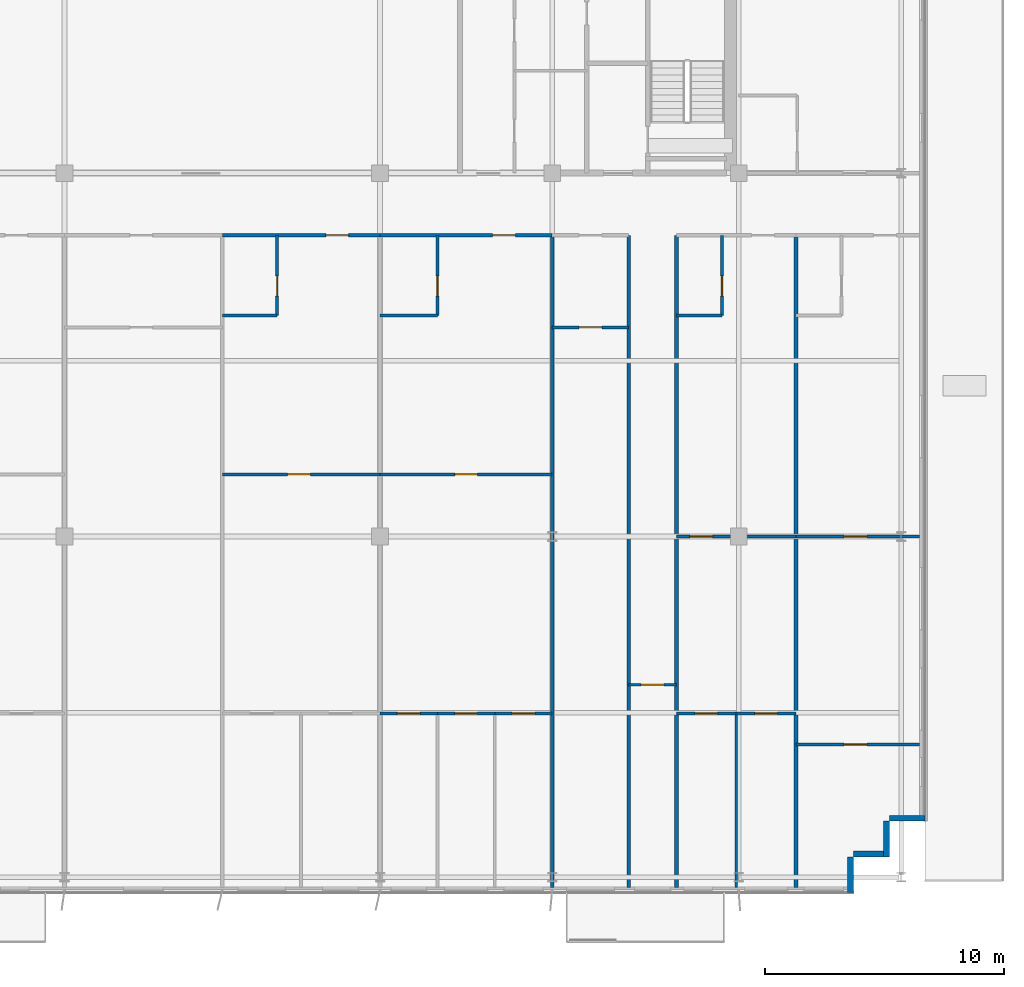
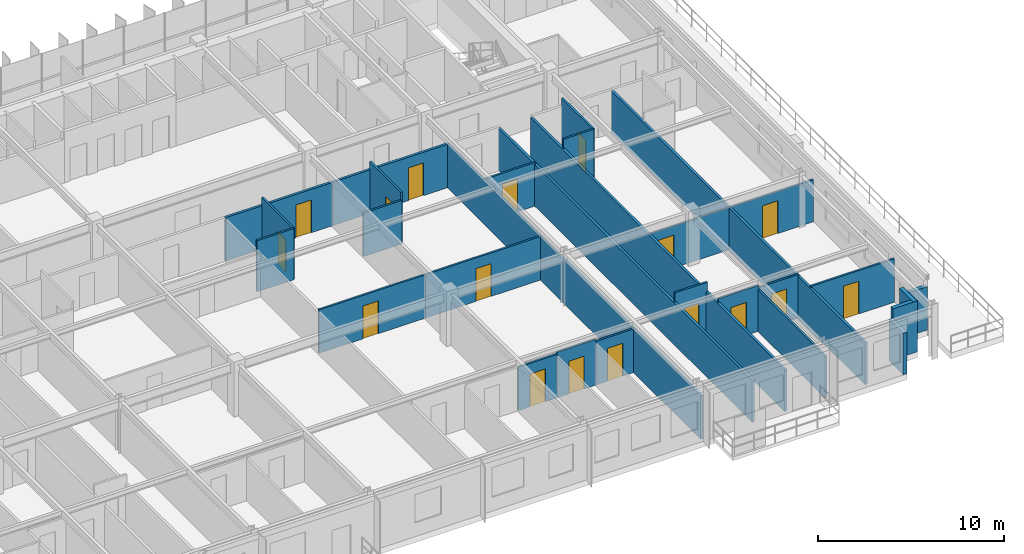
# One storey, part 16 of 22: 29 walls, 17 doors, 17 openings.
"""IFC4 building model written with IfcOpenShell, lengths in metres."""

from ifc_helpers import new_model, si_unit, direction, frame, frame_2d, origin, place, context, subcontext, project, spatial, rectangle, extrude, source, transform, mapped, material, layer, layer_set, type_object, element, fill, save


model = new_model("IFC4")

# Units and contexts
model_context = context("Model", 3, precision=1e-05, world=origin(), true_north=direction((0.0, 1.0)))
body_context = subcontext(model_context, "Body", "Model", "MODEL_VIEW")
ifc_project = project(units=[si_unit("LENGTHUNIT", "METRE"), si_unit("AREAUNIT", "SQUARE_METRE"), si_unit("VOLUMEUNIT", "CUBIC_METRE"), si_unit("PLANEANGLEUNIT", "RADIAN"), si_unit("MASSUNIT", "GRAM", prefix="KILO")], contexts=[model_context])

# Site, building, storey
site_placement = place(None, origin())
site = spatial("IfcSite", under=ifc_project, at=site_placement, CompositionType="ELEMENT")
building_placement = place(site_placement, origin())
building = spatial("IfcBuilding", under=site, at=building_placement, Name="Trelvane Seafront Commons", CompositionType="ELEMENT")
storey_placement = place(building_placement, frame((0.0, 0.0, 132.10009765625)))
storey = spatial("IfcBuildingStorey", under=building, at=storey_placement, Name="L34", CompositionType="ELEMENT", Elevation=132.10009765625)

# Walls
ifc_material_1 = material(Name="Precast concrete C40/50", Category="concrete")
ifc_layer_1 = layer(ifc_material_1, 0.239990234375, Name="ARCH-WALL-EXT240")
ifc_layer_set_1 = layer_set([ifc_layer_1], Name="Precast concrete C40/50")
wall_type_1 = type_object("IfcWallType", Name="ARCH-WALL-EXT240", PredefinedType="SOLIDWALL", material=ifc_layer_set_1)
wall_1_placement = place(storey_placement, frame((66.60009765625, 6.419921875, 0.0), z_axis=(0.0, 0.0, 1.0), x_axis=(-1.0, 0.0, 0.0)))
element("IfcWall", 1, at=wall_1_placement, inside=storey, type_object=wall_type_1, Name="EW-L34-00668", PredefinedType="SOLIDWALL", context=body_context, shape_type="SweptSolid", body=[
    extrude(rectangle(XDim=1.5, YDim=0.239990234375, at=frame_2d((0.75, 0.0))), origin(), (0.0, 0.0, 1.0), 2.849853515625),
])
for number, where, z_axis, x_axis, name in (
    (2, (64.97998046875, 6.300048828125, 0.0), (0.0, 0.0, 1.0), (0.0, -1.0, 0.0), "EW-L34-00669"),
    (3, (65.10009765625, 4.919921875, 0.0), (0.0, 0.0, 1.0), (-1.0, 0.0, 0.0), "EW-L34-00670"),
):
    element("IfcWall", number, at=place(storey_placement, frame(where, z_axis=z_axis, x_axis=x_axis)), inside=storey, type_object=wall_type_1, Name=name, PredefinedType="SOLIDWALL", context=body_context, shape_type="SweptSolid", body=[
        extrude(rectangle(XDim=1.5, YDim=0.239990234375, at=frame_2d((0.75, 0.0))), origin(), (0.0, 0.0, 1.0), 3.349853515625),
    ])
wall_2_placement = place(storey_placement, frame((63.47998046875, 4.800048828125, 0.0), z_axis=(0.0, 0.0, 1.0), x_axis=(0.0, -1.0, 0.0)))
element("IfcWall", 4, at=wall_2_placement, inside=storey, type_object=wall_type_1, Name="EW-L34-00671", PredefinedType="SOLIDWALL", context=body_context, shape_type="SweptSolid", body=[
    extrude(rectangle(XDim=1.5, YDim=0.239990234375, at=frame_2d((0.75, 0.0))), origin(), (0.0, 0.0, 1.0), 2.75),
])

# Wall, opening, door
ifc_material_2 = material(Name="Gypsum Drywall Acoustic Partition")
ifc_layer_2 = layer(ifc_material_2, 0.1201171875, Name="ARCH-WALL-PART120")
ifc_layer_set_2 = layer_set([ifc_layer_2], Name="Gypsum Drywall Acoustic Partition")
wall_type_2 = type_object("IfcWallType", Name="ARCH-WALL-PART120", PredefinedType="PARTITIONING", material=ifc_layer_set_2)
wall_3_placement = place(storey_placement, frame((37.199951171875, 20.800048828125, 0.0), z_axis=(0.0, 0.0, 1.0), x_axis=(1.0, 0.0, 0.0)))
wall_3 = element("IfcWall", 5, at=wall_3_placement, inside=storey, type_object=wall_type_2, Name="W-L34-U7-KL-086", PredefinedType="PARTITIONING", context=body_context, shape_type="SweptSolid", body=[
    extrude(rectangle(XDim=6.60009765625, YDim=0.1201171875, at=frame_2d((3.300048828125, 0.0))), origin(), (0.0, 0.0, 1.0), 2.849853515625),
])
opening_1_placement = place(wall_3_placement, frame((2.73388671875, 0.0, 0.0)))
opening_1 = element("IfcOpeningElement", 6, at=opening_1_placement, cuts=wall_3, Name="Opening D-L34-48", PredefinedType="OPENING", context=body_context, shape_type="SweptSolid", body=[
    extrude(rectangle(XDim=0.949951171875, YDim=2.14990234375, at=frame_2d((0.47509765625, 1.074951171875))), frame((0.0, 0.070068359375, 0.0), z_axis=(0.0, -1.0, 0.0), x_axis=(1.0, 0.0, 0.0)), (0.0, 0.0, 1.0), 0.14013671875),
])
ifc_material_3 = material(Name="Acoustic timber door leaf", Category="wood")
door_type_1 = type_object("IfcDoorType", Name="ARCH-DR-INT950", OperationType="NOTDEFINED", PredefinedType="DOOR", material=ifc_material_3)
shared_shape_1 = source(origin(), body_context, "Body", "SweptSolid", [
    extrude(rectangle(XDim=0.949951171875, YDim=2.14990234375, at=frame_2d((0.47509765625, 1.074951171875))), frame((0.0, 0.02490234375, 0.0), z_axis=(0.0, -1.0, 0.0), x_axis=(1.0, 0.0, 0.0)), (0.0, 0.0, 1.0), 0.050048828125),
])
door_1_placement = place(opening_1_placement, origin())
door_1 = element("IfcDoor", 7, at=door_1_placement, inside=storey, type_object=door_type_1, Name="L34 Door 48", OperationType="SINGLE_SWING_RIGHT", OverallHeight=2.14990234375, OverallWidth=0.949951171875, PredefinedType="DOOR", context=body_context, shape_type="MappedRepresentation", body=[
    mapped(shared_shape_1, transform((0.0, 0.0, 0.0), x_axis=(1.0, 0.0, 0.0), y_axis=(0.0, 1.0, 0.0), z_axis=(0.0, 0.0, 1.0), scale=1.0)),
])
fill(opening_1, door_1)

wall_4_placement = place(storey_placement, frame((39.493896484375, 27.449951171875, 0.0), z_axis=(0.0, 0.0, 1.0), x_axis=(0.0, 1.0, 0.0)))
wall_4 = element("IfcWall", 8, at=wall_4_placement, inside=storey, type_object=wall_type_2, Name="W-L34-U7-BE-087", PredefinedType="PARTITIONING", context=body_context, shape_type="SweptSolid", body=[
    extrude(rectangle(XDim=3.35009765625, YDim=0.1201171875, at=frame_2d((1.675048828125, 0.0))), origin(), (0.0, 0.0, 1.0), 3.349853515625),
])
opening_2_placement = place(wall_4_placement, frame((0.800048828125, 0.0, 0.0)))
opening_2 = element("IfcOpeningElement", 9, at=opening_2_placement, cuts=wall_4, Name="Opening D-L34-49", PredefinedType="OPENING", context=body_context, shape_type="SweptSolid", body=[
    extrude(rectangle(XDim=0.85009765625, YDim=2.10009765625, at=frame_2d((0.425048828125, 1.050048828125))), frame((0.0, 0.070068359375, 0.0), z_axis=(0.0, -1.0, 0.0), x_axis=(1.0, 0.0, 0.0)), (0.0, 0.0, 1.0), 0.14013671875),
])
door_type_2 = type_object("IfcDoorType", Name="ARCH-DR-INT850", OperationType="NOTDEFINED", PredefinedType="DOOR", material=ifc_material_3)
shared_shape_2 = source(origin(), body_context, "Body", "SweptSolid", [
    extrude(rectangle(XDim=0.85009765625, YDim=2.10009765625, at=frame_2d((0.425048828125, 1.050048828125))), frame((0.0, 0.02490234375, 0.0), z_axis=(0.0, -1.0, 0.0), x_axis=(1.0, 0.0, 0.0)), (0.0, 0.0, 1.0), 0.050048828125),
])
door_2_placement = place(opening_2_placement, origin())
door_2 = element("IfcDoor", 10, at=door_2_placement, inside=storey, type_object=door_type_2, Name="L34 Door 49", OperationType="SINGLE_SWING_LEFT", OverallHeight=2.10009765625, OverallWidth=0.85009765625, PredefinedType="DOOR", context=body_context, shape_type="MappedRepresentation", body=[
    mapped(shared_shape_2, transform((0.0, 0.0, 0.0), x_axis=(1.0, 0.0, 0.0), y_axis=(0.0, 1.0, 0.0), z_axis=(0.0, 0.0, 1.0), scale=1.0)),
])
fill(opening_2, door_2)

# Wall
wall_5_placement = place(storey_placement, frame((37.199951171875, 27.449951171875, 0.0), z_axis=(0.0, 0.0, 1.0), x_axis=(1.0, 0.0, 0.0)))
element("IfcWall", 11, at=wall_5_placement, inside=storey, type_object=wall_type_2, Name="W-L34-U7-BS-088", PredefinedType="PARTITIONING", context=body_context, shape_type="SweptSolid", body=[
    extrude(rectangle(XDim=2.2939453125, YDim=0.1201171875, at=frame_2d((1.14697265625, 0.0))), origin(), (0.0, 0.0, 1.0), 3.349853515625),
])

# Wall, opening, door
wall_6_placement = place(storey_placement, frame((43.800048828125, 20.800048828125, 0.0), z_axis=(0.0, 0.0, 1.0), x_axis=(1.0, 0.0, 0.0)))
wall_6 = element("IfcWall", 12, at=wall_6_placement, inside=storey, type_object=wall_type_2, Name="W-L34-U8-KL-093", PredefinedType="PARTITIONING", context=body_context, shape_type="SweptSolid", body=[
    extrude(rectangle(XDim=7.199951171875, YDim=0.1201171875, at=frame_2d((3.60009765625, 0.0))), origin(), (0.0, 0.0, 1.0), 2.849853515625),
])
opening_3_placement = place(wall_6_placement, frame((3.125, 0.0, 0.0)))
opening_3 = element("IfcOpeningElement", 13, at=opening_3_placement, cuts=wall_6, Name="Opening D-L34-53", PredefinedType="OPENING", context=body_context, shape_type="SweptSolid", body=[
    extrude(rectangle(XDim=0.949951171875, YDim=2.14990234375, at=frame_2d((0.47509765625, 1.074951171875))), frame((0.0, 0.070068359375, 0.0), z_axis=(0.0, -1.0, 0.0), x_axis=(1.0, 0.0, 0.0)), (0.0, 0.0, 1.0), 0.14013671875),
])
door_3_placement = place(opening_3_placement, origin())
door_3 = element("IfcDoor", 14, at=door_3_placement, inside=storey, type_object=door_type_1, Name="L34 Door 53", OperationType="SINGLE_SWING_LEFT", OverallHeight=2.14990234375, OverallWidth=0.949951171875, PredefinedType="DOOR", context=body_context, shape_type="MappedRepresentation", body=[
    mapped(shared_shape_1, transform((0.0, 0.0, 0.0), x_axis=(1.0, 0.0, 0.0), y_axis=(0.0, 1.0, 0.0), z_axis=(0.0, 0.0, 1.0), scale=1.0)),
])
fill(opening_3, door_3)

wall_7_placement = place(storey_placement, frame((46.199951171875, 27.449951171875, 0.0), z_axis=(0.0, 0.0, 1.0), x_axis=(0.0, 1.0, 0.0)))
wall_7 = element("IfcWall", 15, at=wall_7_placement, inside=storey, type_object=wall_type_2, Name="W-L34-U8-BE-094", PredefinedType="PARTITIONING", context=body_context, shape_type="SweptSolid", body=[
    extrude(rectangle(XDim=3.35009765625, YDim=0.1201171875, at=frame_2d((1.675048828125, 0.0))), origin(), (0.0, 0.0, 1.0), 3.349853515625),
])
opening_4_placement = place(wall_7_placement, frame((0.800048828125, 0.0, 0.0)))
opening_4 = element("IfcOpeningElement", 16, at=opening_4_placement, cuts=wall_7, Name="Opening D-L34-54", PredefinedType="OPENING", context=body_context, shape_type="SweptSolid", body=[
    extrude(rectangle(XDim=0.85009765625, YDim=2.10009765625, at=frame_2d((0.425048828125, 1.050048828125))), frame((0.0, 0.070068359375, 0.0), z_axis=(0.0, -1.0, 0.0), x_axis=(1.0, 0.0, 0.0)), (0.0, 0.0, 1.0), 0.14013671875),
])
door_4_placement = place(opening_4_placement, origin())
door_4 = element("IfcDoor", 17, at=door_4_placement, inside=storey, type_object=door_type_2, Name="L34 Door 54", OperationType="SINGLE_SWING_RIGHT", OverallHeight=2.10009765625, OverallWidth=0.85009765625, PredefinedType="DOOR", context=body_context, shape_type="MappedRepresentation", body=[
    mapped(shared_shape_2, transform((0.0, 0.0, 0.0), x_axis=(1.0, 0.0, 0.0), y_axis=(0.0, 1.0, 0.0), z_axis=(0.0, 0.0, 1.0), scale=1.0)),
])
fill(opening_4, door_4)

# Wall
wall_8_placement = place(storey_placement, frame((43.800048828125, 27.449951171875, 0.0), z_axis=(0.0, 0.0, 1.0), x_axis=(1.0, 0.0, 0.0)))
element("IfcWall", 18, at=wall_8_placement, inside=storey, type_object=wall_type_2, Name="W-L34-U8-BS-095", PredefinedType="PARTITIONING", context=body_context, shape_type="SweptSolid", body=[
    extrude(rectangle(XDim=2.39990234375, YDim=0.1201171875, at=frame_2d((1.199951171875, 0.0))), origin(), (0.0, 0.0, 1.0), 2.849853515625),
])

# Wall, opening, door
wall_9_placement = place(storey_placement, frame((43.800048828125, 10.800048828125, 0.0), z_axis=(0.0, 0.0, 1.0), x_axis=(1.0, 0.0, 0.0)))
wall_9 = element("IfcWall", 19, at=wall_9_placement, inside=storey, type_object=wall_type_2, Name="W-L34-U8-YM-1-097", PredefinedType="PARTITIONING", context=body_context, shape_type="SweptSolid", body=[
    extrude(rectangle(XDim=2.39990234375, YDim=0.1201171875, at=frame_2d((1.199951171875, 0.0))), origin(), (0.0, 0.0, 1.0), 2.849853515625),
])
opening_5_placement = place(wall_9_placement, frame((0.72509765625, 0.0, 0.0)))
opening_5 = element("IfcOpeningElement", 20, at=opening_5_placement, cuts=wall_9, Name="Opening D-L34-56", PredefinedType="OPENING", context=body_context, shape_type="SweptSolid", body=[
    extrude(rectangle(XDim=0.949951171875, YDim=2.14990234375, at=frame_2d((0.47509765625, 1.074951171875))), frame((0.0, 0.070068359375, 0.0), z_axis=(0.0, -1.0, 0.0), x_axis=(1.0, 0.0, 0.0)), (0.0, 0.0, 1.0), 0.14013671875),
])
door_5_placement = place(opening_5_placement, origin())
door_5 = element("IfcDoor", 21, at=door_5_placement, inside=storey, type_object=door_type_1, Name="L34 Door 56", OperationType="SINGLE_SWING_RIGHT", OverallHeight=2.14990234375, OverallWidth=0.949951171875, PredefinedType="DOOR", context=body_context, shape_type="MappedRepresentation", body=[
    mapped(shared_shape_1, transform((0.0, 0.0, 0.0), x_axis=(1.0, 0.0, 0.0), y_axis=(0.0, 1.0, 0.0), z_axis=(0.0, 0.0, 1.0), scale=1.0)),
])
fill(opening_5, door_5)

wall_10_placement = place(storey_placement, frame((46.199951171875, 10.800048828125, 0.0), z_axis=(0.0, 0.0, 1.0), x_axis=(1.0, 0.0, 0.0)))
wall_10 = element("IfcWall", 22, at=wall_10_placement, inside=storey, type_object=wall_type_2, Name="W-L34-U8-YM-2-098", PredefinedType="PARTITIONING", context=body_context, shape_type="SweptSolid", body=[
    extrude(rectangle(XDim=2.400146484375, YDim=0.1201171875, at=frame_2d((1.2001953125, 0.0))), origin(), (0.0, 0.0, 1.0), 3.0),
])
opening_6_placement = place(wall_10_placement, frame((0.72509765625, 0.0, 0.0)))
opening_6 = element("IfcOpeningElement", 23, at=opening_6_placement, cuts=wall_10, Name="Opening D-L34-57", PredefinedType="OPENING", context=body_context, shape_type="SweptSolid", body=[
    extrude(rectangle(XDim=0.949951171875, YDim=2.14990234375, at=frame_2d((0.47509765625, 1.074951171875))), frame((0.0, 0.070068359375, 0.0), z_axis=(0.0, -1.0, 0.0), x_axis=(1.0, 0.0, 0.0)), (0.0, 0.0, 1.0), 0.14013671875),
])
door_6_placement = place(opening_6_placement, origin())
door_6 = element("IfcDoor", 24, at=door_6_placement, inside=storey, type_object=door_type_1, Name="L34 Door 57", OperationType="SINGLE_SWING_LEFT", OverallHeight=2.14990234375, OverallWidth=0.949951171875, PredefinedType="DOOR", context=body_context, shape_type="MappedRepresentation", body=[
    mapped(shared_shape_1, transform((0.0, 0.0, 0.0), x_axis=(1.0, 0.0, 0.0), y_axis=(0.0, 1.0, 0.0), z_axis=(0.0, 0.0, 1.0), scale=1.0)),
])
fill(opening_6, door_6)

wall_11_placement = place(storey_placement, frame((48.60009765625, 10.800048828125, 0.0), z_axis=(0.0, 0.0, 1.0), x_axis=(1.0, 0.0, 0.0)))
wall_11 = element("IfcWall", 25, at=wall_11_placement, inside=storey, type_object=wall_type_2, Name="W-L34-U8-YM-3-100", PredefinedType="PARTITIONING", context=body_context, shape_type="SweptSolid", body=[
    extrude(rectangle(XDim=2.39990234375, YDim=0.1201171875, at=frame_2d((1.199951171875, 0.0))), origin(), (0.0, 0.0, 1.0), 2.849853515625),
])
opening_7_placement = place(wall_11_placement, frame((0.72509765625, 0.0, 0.0)))
opening_7 = element("IfcOpeningElement", 26, at=opening_7_placement, cuts=wall_11, Name="Opening D-L34-58", PredefinedType="OPENING", context=body_context, shape_type="SweptSolid", body=[
    extrude(rectangle(XDim=0.949951171875, YDim=2.14990234375, at=frame_2d((0.47509765625, 1.074951171875))), frame((0.0, 0.070068359375, 0.0), z_axis=(0.0, -1.0, 0.0), x_axis=(1.0, 0.0, 0.0)), (0.0, 0.0, 1.0), 0.14013671875),
])
door_7_placement = place(opening_7_placement, origin())
door_7 = element("IfcDoor", 27, at=door_7_placement, inside=storey, type_object=door_type_1, Name="L34 Door 58", OperationType="SINGLE_SWING_RIGHT", OverallHeight=2.14990234375, OverallWidth=0.949951171875, PredefinedType="DOOR", context=body_context, shape_type="MappedRepresentation", body=[
    mapped(shared_shape_1, transform((0.0, 0.0, 0.0), x_axis=(1.0, 0.0, 0.0), y_axis=(0.0, 1.0, 0.0), z_axis=(0.0, 0.0, 1.0), scale=1.0)),
])
fill(opening_7, door_7)

wall_12_placement = place(storey_placement, frame((51.0, 26.949951171875, 0.0), z_axis=(0.0, 0.0, 1.0), x_axis=(1.0, 0.0, 0.0)))
wall_12 = element("IfcWall", 28, at=wall_12_placement, inside=storey, type_object=wall_type_2, Name="W-L34-U9-DIV-103", PredefinedType="PARTITIONING", context=body_context, shape_type="SweptSolid", body=[
    extrude(rectangle(XDim=3.199951171875, YDim=0.1201171875, at=frame_2d((1.60009765625, 0.0))), origin(), (0.0, 0.0, 1.0), 2.849853515625),
])
opening_8_placement = place(wall_12_placement, frame((1.125, 0.0, 0.0)))
opening_8 = element("IfcOpeningElement", 29, at=opening_8_placement, cuts=wall_12, Name="Opening D-L34-60", PredefinedType="OPENING", context=body_context, shape_type="SweptSolid", body=[
    extrude(rectangle(XDim=0.949951171875, YDim=2.14990234375, at=frame_2d((0.47509765625, 1.074951171875))), frame((0.0, 0.070068359375, 0.0), z_axis=(0.0, -1.0, 0.0), x_axis=(1.0, 0.0, 0.0)), (0.0, 0.0, 1.0), 0.14013671875),
])
door_8_placement = place(opening_8_placement, origin())
door_8 = element("IfcDoor", 30, at=door_8_placement, inside=storey, type_object=door_type_1, Name="L34 Door 60", OperationType="SINGLE_SWING_RIGHT", OverallHeight=2.14990234375, OverallWidth=0.949951171875, PredefinedType="DOOR", context=body_context, shape_type="MappedRepresentation", body=[
    mapped(shared_shape_1, transform((0.0, 0.0, 0.0), x_axis=(1.0, 0.0, 0.0), y_axis=(0.0, 1.0, 0.0), z_axis=(0.0, 0.0, 1.0), scale=1.0)),
])
fill(opening_8, door_8)

wall_13_placement = place(storey_placement, frame((54.199951171875, 12.0, 0.0), z_axis=(0.0, 0.0, 1.0), x_axis=(1.0, 0.0, 0.0)))
wall_13 = element("IfcWall", 31, at=wall_13_placement, inside=storey, type_object=wall_type_2, Name="W-L34-ARM-END-10-106", PredefinedType="PARTITIONING", context=body_context, shape_type="SweptSolid", body=[
    extrude(rectangle(XDim=2.0, YDim=0.1201171875, at=frame_2d((1.0, 0.0))), origin(), (0.0, 0.0, 1.0), 3.349853515625),
])
opening_9_placement = place(wall_13_placement, frame((0.52001953125, 0.0, 0.0)))
opening_9 = element("IfcOpeningElement", 32, at=opening_9_placement, cuts=wall_13, Name="Opening D-L34-61", PredefinedType="OPENING", context=body_context, shape_type="SweptSolid", body=[
    extrude(rectangle(XDim=0.949951171875, YDim=2.14990234375, at=frame_2d((0.47509765625, 1.074951171875))), frame((0.0, 0.070068359375, 0.0), z_axis=(0.0, -1.0, 0.0), x_axis=(1.0, 0.0, 0.0)), (0.0, 0.0, 1.0), 0.14013671875),
])
door_9_placement = place(opening_9_placement, origin())
door_9 = element("IfcDoor", 33, at=door_9_placement, inside=storey, type_object=door_type_1, Name="L34 Door 61", OperationType="SINGLE_SWING_LEFT", OverallHeight=2.14990234375, OverallWidth=0.949951171875, PredefinedType="DOOR", context=body_context, shape_type="MappedRepresentation", body=[
    mapped(shared_shape_1, transform((0.0, 0.0, 0.0), x_axis=(1.0, 0.0, 0.0), y_axis=(0.0, 1.0, 0.0), z_axis=(0.0, 0.0, 1.0), scale=1.0)),
])
fill(opening_9, door_9)

wall_14_placement = place(storey_placement, frame((56.199951171875, 18.199951171875, 0.0), z_axis=(0.0, 0.0, 1.0), x_axis=(1.0, 0.0, 0.0)))
wall_14 = element("IfcWall", 34, at=wall_14_placement, inside=storey, type_object=wall_type_2, Name="W-L34-U11-KL-107", PredefinedType="PARTITIONING", context=body_context, shape_type="SweptSolid", body=[
    extrude(rectangle(XDim=5.0, YDim=0.1201171875, at=frame_2d((2.5, 0.0))), origin(), (0.0, 0.0, 1.0), 2.75),
])
opening_10_placement = place(wall_14_placement, frame((0.56298828125, 0.0, 0.0)))
opening_10 = element("IfcOpeningElement", 35, at=opening_10_placement, cuts=wall_14, Name="Opening D-L34-62", PredefinedType="OPENING", context=body_context, shape_type="SweptSolid", body=[
    extrude(rectangle(XDim=0.949951171875, YDim=2.14990234375, at=frame_2d((0.47509765625, 1.074951171875))), frame((0.0, 0.070068359375, 0.0), z_axis=(0.0, -1.0, 0.0), x_axis=(1.0, 0.0, 0.0)), (0.0, 0.0, 1.0), 0.14013671875),
])
door_10_placement = place(opening_10_placement, origin())
door_10 = element("IfcDoor", 36, at=door_10_placement, inside=storey, type_object=door_type_1, Name="L34 Door 62", OperationType="SINGLE_SWING_RIGHT", OverallHeight=2.14990234375, OverallWidth=0.949951171875, PredefinedType="DOOR", context=body_context, shape_type="MappedRepresentation", body=[
    mapped(shared_shape_1, transform((0.0, 0.0, 0.0), x_axis=(1.0, 0.0, 0.0), y_axis=(0.0, 1.0, 0.0), z_axis=(0.0, 0.0, 1.0), scale=1.0)),
])
fill(opening_10, door_10)

wall_15_placement = place(storey_placement, frame((58.10009765625, 27.449951171875, 0.0), z_axis=(0.0, 0.0, 1.0), x_axis=(0.0, 1.0, 0.0)))
wall_15 = element("IfcWall", 37, at=wall_15_placement, inside=storey, type_object=wall_type_2, Name="W-L34-U11-BE-108", PredefinedType="PARTITIONING", context=body_context, shape_type="SweptSolid", body=[
    extrude(rectangle(XDim=3.35009765625, YDim=0.1201171875, at=frame_2d((1.675048828125, 0.0))), origin(), (0.0, 0.0, 1.0), 3.349853515625),
])
opening_11_placement = place(wall_15_placement, frame((0.800048828125, 0.0, 0.0)))
opening_11 = element("IfcOpeningElement", 38, at=opening_11_placement, cuts=wall_15, Name="Opening D-L34-63", PredefinedType="OPENING", context=body_context, shape_type="SweptSolid", body=[
    extrude(rectangle(XDim=0.85009765625, YDim=2.10009765625, at=frame_2d((0.425048828125, 1.050048828125))), frame((0.0, 0.070068359375, 0.0), z_axis=(0.0, -1.0, 0.0), x_axis=(1.0, 0.0, 0.0)), (0.0, 0.0, 1.0), 0.14013671875),
])
door_11_placement = place(opening_11_placement, origin())
door_11 = element("IfcDoor", 39, at=door_11_placement, inside=storey, type_object=door_type_2, Name="L34 Door 63", OperationType="SINGLE_SWING_LEFT", OverallHeight=2.10009765625, OverallWidth=0.85009765625, PredefinedType="DOOR", context=body_context, shape_type="MappedRepresentation", body=[
    mapped(shared_shape_2, transform((0.0, 0.0, 0.0), x_axis=(1.0, 0.0, 0.0), y_axis=(0.0, 1.0, 0.0), z_axis=(0.0, 0.0, 1.0), scale=1.0)),
])
fill(opening_11, door_11)

# Wall
wall_16_placement = place(storey_placement, frame((56.199951171875, 27.449951171875, 0.0), z_axis=(0.0, 0.0, 1.0), x_axis=(1.0, 0.0, 0.0)))
element("IfcWall", 40, at=wall_16_placement, inside=storey, type_object=wall_type_2, Name="W-L34-U11-BS-109", PredefinedType="PARTITIONING", context=body_context, shape_type="SweptSolid", body=[
    extrude(rectangle(XDim=1.900146484375, YDim=0.1201171875, at=frame_2d((0.9501953125, 0.0))), origin(), (0.0, 0.0, 1.0), 3.349853515625),
])

# Wall, opening, door
wall_17_placement = place(storey_placement, frame((56.199951171875, 10.800048828125, 0.0), z_axis=(0.0, 0.0, 1.0), x_axis=(1.0, 0.0, 0.0)))
wall_17 = element("IfcWall", 41, at=wall_17_placement, inside=storey, type_object=wall_type_2, Name="W-L34-U11-YM-1-111", PredefinedType="PARTITIONING", context=body_context, shape_type="SweptSolid", body=[
    extrude(rectangle(XDim=2.5, YDim=0.1201171875, at=frame_2d((1.25, 0.0))), origin(), (0.0, 0.0, 1.0), 3.0),
])
opening_12_placement = place(wall_17_placement, frame((0.77490234375, 0.0, 0.0)))
opening_12 = element("IfcOpeningElement", 42, at=opening_12_placement, cuts=wall_17, Name="Opening D-L34-65", PredefinedType="OPENING", context=body_context, shape_type="SweptSolid", body=[
    extrude(rectangle(XDim=0.949951171875, YDim=2.14990234375, at=frame_2d((0.47509765625, 1.074951171875))), frame((0.0, 0.070068359375, 0.0), z_axis=(0.0, -1.0, 0.0), x_axis=(1.0, 0.0, 0.0)), (0.0, 0.0, 1.0), 0.14013671875),
])
door_12_placement = place(opening_12_placement, origin())
door_12 = element("IfcDoor", 43, at=door_12_placement, inside=storey, type_object=door_type_1, Name="L34 Door 65", OperationType="SINGLE_SWING_LEFT", OverallHeight=2.14990234375, OverallWidth=0.949951171875, PredefinedType="DOOR", context=body_context, shape_type="MappedRepresentation", body=[
    mapped(shared_shape_1, transform((0.0, 0.0, 0.0), x_axis=(1.0, 0.0, 0.0), y_axis=(0.0, 1.0, 0.0), z_axis=(0.0, 0.0, 1.0), scale=1.0)),
])
fill(opening_12, door_12)

wall_18_placement = place(storey_placement, frame((58.699951171875, 10.800048828125, 0.0), z_axis=(0.0, 0.0, 1.0), x_axis=(1.0, 0.0, 0.0)))
wall_18 = element("IfcWall", 44, at=wall_18_placement, inside=storey, type_object=wall_type_2, Name="W-L34-U11-YM-2-112", PredefinedType="PARTITIONING", context=body_context, shape_type="SweptSolid", body=[
    extrude(rectangle(XDim=2.5, YDim=0.1201171875, at=frame_2d((1.25, 0.0))), origin(), (0.0, 0.0, 1.0), 2.849853515625),
])
opening_13_placement = place(wall_18_placement, frame((0.77490234375, 0.0, 0.0)))
opening_13 = element("IfcOpeningElement", 45, at=opening_13_placement, cuts=wall_18, Name="Opening D-L34-66", PredefinedType="OPENING", context=body_context, shape_type="SweptSolid", body=[
    extrude(rectangle(XDim=0.949951171875, YDim=2.14990234375, at=frame_2d((0.47509765625, 1.074951171875))), frame((0.0, 0.070068359375, 0.0), z_axis=(0.0, -1.0, 0.0), x_axis=(1.0, 0.0, 0.0)), (0.0, 0.0, 1.0), 0.14013671875),
])
door_13_placement = place(opening_13_placement, origin())
door_13 = element("IfcDoor", 46, at=door_13_placement, inside=storey, type_object=door_type_1, Name="L34 Door 66", OperationType="SINGLE_SWING_RIGHT", OverallHeight=2.14990234375, OverallWidth=0.949951171875, PredefinedType="DOOR", context=body_context, shape_type="MappedRepresentation", body=[
    mapped(shared_shape_1, transform((0.0, 0.0, 0.0), x_axis=(1.0, 0.0, 0.0), y_axis=(0.0, 1.0, 0.0), z_axis=(0.0, 0.0, 1.0), scale=1.0)),
])
fill(opening_13, door_13)

# Wall
wall_19_placement = place(storey_placement, frame((58.699951171875, 3.52490234375, 0.0), z_axis=(0.0, 0.0, 1.0), x_axis=(0.0, 1.0, 0.0)))
element("IfcWall", 47, at=wall_19_placement, inside=storey, type_object=wall_type_2, Name="W-L34-U11-BDV-1-113", PredefinedType="PARTITIONING", context=body_context, shape_type="SweptSolid", body=[
    extrude(rectangle(XDim=7.275146484375, YDim=0.1201171875, at=frame_2d((3.6376953125, 0.0))), origin(), (0.0, 0.0, 1.0), 2.75),
])

# Wall, opening, door
wall_20_placement = place(storey_placement, frame((61.199951171875, 18.199951171875, 0.0), z_axis=(0.0, 0.0, 1.0), x_axis=(1.0, 0.0, 0.0)))
wall_20 = element("IfcWall", 48, at=wall_20_placement, inside=storey, type_object=wall_type_2, Name="W-L34-U12-KL-114", PredefinedType="PARTITIONING", context=body_context, shape_type="SweptSolid", body=[
    extrude(rectangle(XDim=5.16015625, YDim=0.1201171875, at=frame_2d((2.580078125, 0.0))), origin(), (0.0, 0.0, 1.0), 2.75),
])
opening_14_placement = place(wall_20_placement, frame((2.013916015625, 0.0, 0.0)))
opening_14 = element("IfcOpeningElement", 49, at=opening_14_placement, cuts=wall_20, Name="Opening D-L34-67", PredefinedType="OPENING", context=body_context, shape_type="SweptSolid", body=[
    extrude(rectangle(XDim=0.949951171875, YDim=2.14990234375, at=frame_2d((0.47509765625, 1.074951171875))), frame((0.0, 0.070068359375, 0.0), z_axis=(0.0, -1.0, 0.0), x_axis=(1.0, 0.0, 0.0)), (0.0, 0.0, 1.0), 0.14013671875),
])
door_14_placement = place(opening_14_placement, origin())
door_14 = element("IfcDoor", 50, at=door_14_placement, inside=storey, type_object=door_type_1, Name="L34 Door 67", OperationType="SINGLE_SWING_LEFT", OverallHeight=2.14990234375, OverallWidth=0.949951171875, PredefinedType="DOOR", context=body_context, shape_type="MappedRepresentation", body=[
    mapped(shared_shape_1, transform((0.0, 0.0, 0.0), x_axis=(1.0, 0.0, 0.0), y_axis=(0.0, 1.0, 0.0), z_axis=(0.0, 0.0, 1.0), scale=1.0)),
])
fill(opening_14, door_14)

wall_21_placement = place(storey_placement, frame((61.199951171875, 9.5, 0.0), z_axis=(0.0, 0.0, 1.0), x_axis=(1.0, 0.0, 0.0)))
wall_21 = element("IfcWall", 51, at=wall_21_placement, inside=storey, type_object=wall_type_2, Name="W-L34-U12-YM-1-118", PredefinedType="PARTITIONING", context=body_context, shape_type="SweptSolid", body=[
    extrude(rectangle(XDim=5.16015625, YDim=0.1201171875, at=frame_2d((2.580078125, 0.0))), origin(), (0.0, 0.0, 1.0), 2.849853515625),
])
opening_15_placement = place(wall_21_placement, frame((2.013916015625, 0.0, 0.0)))
opening_15 = element("IfcOpeningElement", 52, at=opening_15_placement, cuts=wall_21, Name="Opening D-L34-70", PredefinedType="OPENING", context=body_context, shape_type="SweptSolid", body=[
    extrude(rectangle(XDim=0.949951171875, YDim=2.14990234375, at=frame_2d((0.47509765625, 1.074951171875))), frame((0.0, 0.070068359375, 0.0), z_axis=(0.0, -1.0, 0.0), x_axis=(1.0, 0.0, 0.0)), (0.0, 0.0, 1.0), 0.14013671875),
])
door_15_placement = place(opening_15_placement, origin())
door_15 = element("IfcDoor", 53, at=door_15_placement, inside=storey, type_object=door_type_1, Name="L34 Door 70", OperationType="SINGLE_SWING_RIGHT", OverallHeight=2.14990234375, OverallWidth=0.949951171875, PredefinedType="DOOR", context=body_context, shape_type="MappedRepresentation", body=[
    mapped(shared_shape_1, transform((0.0, 0.0, 0.0), x_axis=(1.0, 0.0, 0.0), y_axis=(0.0, 1.0, 0.0), z_axis=(0.0, 0.0, 1.0), scale=1.0)),
])
fill(opening_15, door_15)

# Walls
ifc_layer_3 = layer(ifc_material_2, 0.14990234375, Name="ARCH-WALL-PART150")
ifc_layer_set_3 = layer_set([ifc_layer_3], Name="Gypsum Drywall Acoustic Partition")
wall_type_3 = type_object("IfcWallType", Name="ARCH-WALL-PART150", PredefinedType="PARTITIONING", material=ifc_layer_set_3)
wall_22_placement = place(storey_placement, frame((51.0, 3.52490234375, 0.0), z_axis=(0.0, 0.0, 1.0), x_axis=(0.0, 1.0, 0.0)))
element("IfcWall", 54, at=wall_22_placement, inside=storey, type_object=wall_type_3, Name="W-L34-PW-8-058", PredefinedType="PARTITIONING", context=body_context, shape_type="SweptSolid", body=[
    extrude(rectangle(XDim=27.275146484375, YDim=0.14990234375, at=frame_2d((13.6376953125, 0.0))), origin(), (0.0, 0.0, 1.0), 2.849853515625),
])
wall_23_placement = place(storey_placement, frame((61.199951171875, 3.52490234375, 0.0), z_axis=(0.0, 0.0, 1.0), x_axis=(0.0, 1.0, 0.0)))
element("IfcWall", 55, at=wall_23_placement, inside=storey, type_object=wall_type_3, Name="W-L34-PW-11-059", PredefinedType="PARTITIONING", context=body_context, shape_type="SweptSolid", body=[
    extrude(rectangle(XDim=27.275146484375, YDim=0.14990234375, at=frame_2d((13.6376953125, 0.0))), origin(), (0.0, 0.0, 1.0), 2.75),
])

# Wall, opening, door
wall_24_placement = place(storey_placement, frame((37.199951171875, 30.800048828125, 0.0), z_axis=(0.0, 0.0, 1.0), x_axis=(1.0, 0.0, 0.0)))
wall_24 = element("IfcWall", 56, at=wall_24_placement, inside=storey, type_object=wall_type_3, Name="W-L34-CS-BAY-7-089", PredefinedType="PARTITIONING", context=body_context, shape_type="SweptSolid", body=[
    extrude(rectangle(XDim=6.60009765625, YDim=0.14990234375, at=frame_2d((3.300048828125, 0.0))), origin(), (0.0, 0.0, 1.0), 2.849853515625),
])
opening_16_placement = place(wall_24_placement, frame((4.3369140625, 0.0, 0.0)))
opening_16 = element("IfcOpeningElement", 57, at=opening_16_placement, cuts=wall_24, Name="Opening FD-L34-50", PredefinedType="OPENING", context=body_context, shape_type="SweptSolid", body=[
    extrude(rectangle(XDim=0.949951171875, YDim=2.14990234375, at=frame_2d((0.47509765625, 1.074951171875))), frame((0.0, 0.0849609375, 0.0), z_axis=(0.0, -1.0, 0.0), x_axis=(1.0, 0.0, 0.0)), (0.0, 0.0, 1.0), 0.169921875),
])
ifc_material_4 = material(Name="Powder-coated aluminium frame", Category="aluminium")
door_type_3 = type_object("IfcDoorType", Name="ARCH-DR-FD60-950", OperationType="NOTDEFINED", PredefinedType="DOOR", material=ifc_material_4)
door_16_placement = place(opening_16_placement, origin())
door_16 = element("IfcDoor", 58, at=door_16_placement, inside=storey, type_object=door_type_3, Name="L34 Unit 07 Entrance Door", OperationType="SINGLE_SWING_RIGHT", OverallHeight=2.14990234375, OverallWidth=0.949951171875, PredefinedType="DOOR", context=body_context, shape_type="MappedRepresentation", body=[
    mapped(shared_shape_1, transform((0.0, 0.0, 0.0), x_axis=(1.0, 0.0, 0.0), y_axis=(0.0, 1.0, 0.0), z_axis=(0.0, 0.0, 1.0), scale=1.0)),
])
fill(opening_16, door_16)

wall_25_placement = place(storey_placement, frame((43.800048828125, 30.800048828125, 0.0), z_axis=(0.0, 0.0, 1.0), x_axis=(1.0, 0.0, 0.0)))
wall_25 = element("IfcWall", 59, at=wall_25_placement, inside=storey, type_object=wall_type_3, Name="W-L34-CS-BAY-8-096", PredefinedType="PARTITIONING", context=body_context, shape_type="SweptSolid", body=[
    extrude(rectangle(XDim=7.199951171875, YDim=0.14990234375, at=frame_2d((3.60009765625, 0.0))), origin(), (0.0, 0.0, 1.0), 2.849853515625),
])
opening_17_placement = place(wall_25_placement, frame((4.7060546875, 0.0, 0.0)))
opening_17 = element("IfcOpeningElement", 60, at=opening_17_placement, cuts=wall_25, Name="Opening FD-L34-55", PredefinedType="OPENING", context=body_context, shape_type="SweptSolid", body=[
    extrude(rectangle(XDim=0.949951171875, YDim=2.14990234375, at=frame_2d((0.47509765625, 1.074951171875))), frame((0.0, 0.0849609375, 0.0), z_axis=(0.0, -1.0, 0.0), x_axis=(1.0, 0.0, 0.0)), (0.0, 0.0, 1.0), 0.169921875),
])
door_17_placement = place(opening_17_placement, origin())
door_17 = element("IfcDoor", 61, at=door_17_placement, inside=storey, type_object=door_type_3, Name="L34 Unit 08 Entrance Door", OperationType="SINGLE_SWING_LEFT", OverallHeight=2.14990234375, OverallWidth=0.949951171875, PredefinedType="DOOR", context=body_context, shape_type="MappedRepresentation", body=[
    mapped(shared_shape_1, transform((0.0, 0.0, 0.0), x_axis=(1.0, 0.0, 0.0), y_axis=(0.0, 1.0, 0.0), z_axis=(0.0, 0.0, 1.0), scale=1.0)),
])
fill(opening_17, door_17)

# Walls
for number, where, z_axis, x_axis, name in (
    (62, (54.199951171875, 3.52490234375, 0.0), (0.0, 0.0, 1.0), (0.0, 1.0, 0.0), "W-L34-ARM-W-10-104"),
    (63, (56.199951171875, 3.52490234375, 0.0), (0.0, 0.0, 1.0), (0.0, 1.0, 0.0), "W-L34-ARM-E-10-105"),
):
    element("IfcWall", number, at=place(storey_placement, frame(where, z_axis=z_axis, x_axis=x_axis)), inside=storey, type_object=wall_type_3, Name=name, PredefinedType="PARTITIONING", context=body_context, shape_type="SweptSolid", body=[
        extrude(rectangle(XDim=27.275146484375, YDim=0.14990234375, at=frame_2d((13.6376953125, 0.0))), origin(), (0.0, 0.0, 1.0), 2.75),
    ])

save(model, "model.ifc")
